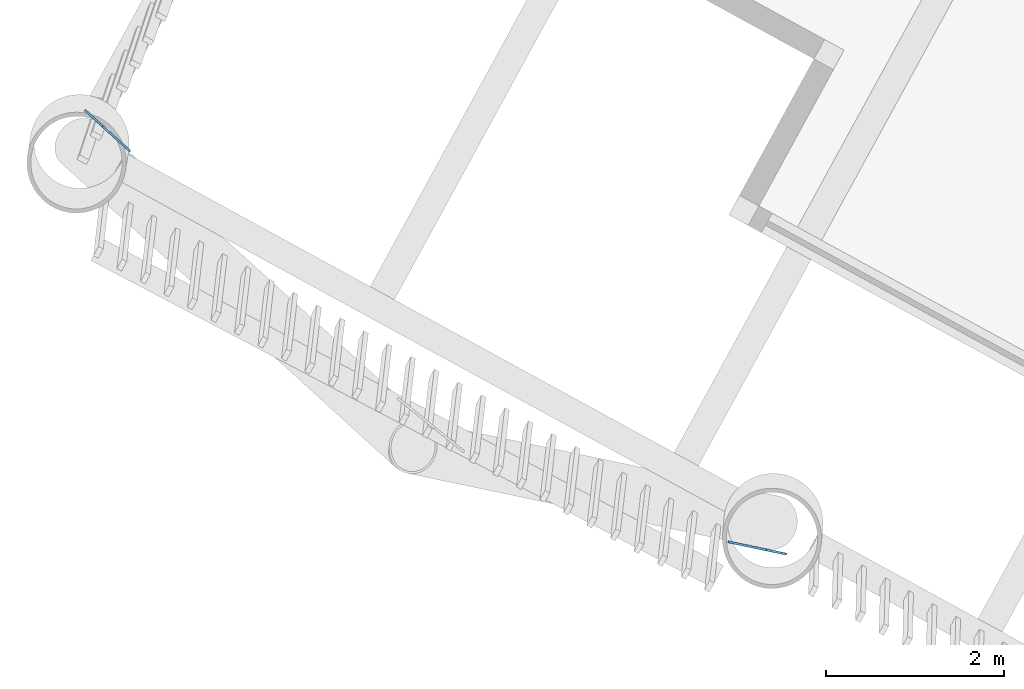
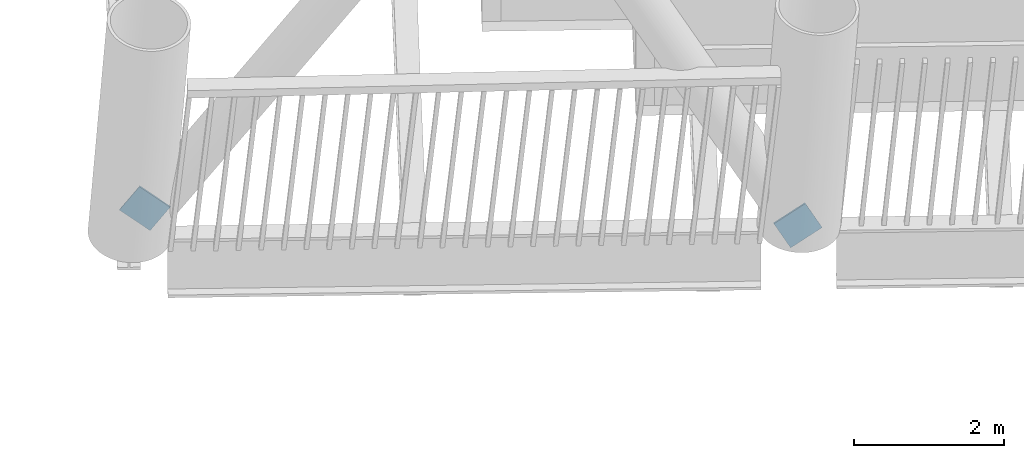
# One storey, part 13 of 24: 2 discrete accessories.
"""IFC4 building model written with IfcOpenShell, lengths in metres."""

import ifcopenshell
import ifcopenshell.guid

model = None  # the IFC model being written
_history = None  # IfcOwnerHistory: only IFC2X3 demands one
_inside = {}  # id of a spatial element -> (the spatial element, [elements in it])
_under = {}  # id of a project, library or spatial element -> (it, [spatial elements below it])
_declared = {}  # id of a project -> (the project, [libraries it declares])
_typed = {}  # id of a type object -> (the type object, [elements of that type])
_made_of = {}  # id of a material, layer set ... -> (it, [elements and type objects made of it])


def new_model(schema):
    """Start an empty IFC model of exactly this schema.

    Asked for "IFC4X3", IfcOpenShell would pick the latest addendum, in which some entities
    have other attributes; the version numbers below select the first issue.
    IFC2X3 requires an IfcOwnerHistory on every rooted entity: one is made here for all.
    """
    global model, _history
    if schema == "IFC4X3":
        model = ifcopenshell.file(schema_version=(4, 3, 0, 0))
    else:
        model = ifcopenshell.file(schema=schema)
    _inside.clear()
    _under.clear()
    _declared.clear()
    _typed.clear()
    _made_of.clear()
    _history = None
    if model.schema == "IFC2X3":
        org = make("IfcOrganization", Name="unknown")
        user = make(
            "IfcPersonAndOrganization",
            ThePerson=make("IfcPerson", FamilyName="unknown"),
            TheOrganization=org,
        )
        app = make(
            "IfcApplication",
            ApplicationDeveloper=org,
            Version="unknown",
            ApplicationFullName="unknown",
            ApplicationIdentifier="unknown",
        )
        _history = make(
            "IfcOwnerHistory",
            OwningUser=user,
            OwningApplication=app,
            ChangeAction="ADDED",
            CreationDate=0,
        )
    return model


def make(cls, **values):
    """One entity of the class cls with the attributes given. An attribute that is None is left unset."""
    return model.create_entity(
        cls, **{name: value for name, value in values.items() if value is not None}
    )


def rooted(cls, **values):
    """An entity with a GlobalId (a new one), such as an element, a storey or a relation."""
    return make(cls, GlobalId=ifcopenshell.guid.new(), OwnerHistory=_history, **values)


def si_unit(unit_type, name, prefix=None):
    """IfcSIUnit, for example si_unit("LENGTHUNIT", "METRE", prefix="MILLI")."""
    return make("IfcSIUnit", UnitType=unit_type, Prefix=prefix, Name=name)


def assignment(units):
    """IfcUnitAssignment: the units of a project."""
    return None if units is None else make("IfcUnitAssignment", Units=units)


def point(xyz):
    """IfcCartesianPoint."""
    return None if xyz is None else make("IfcCartesianPoint", Coordinates=xyz)


def direction(xyz):
    """IfcDirection."""
    return None if xyz is None else make("IfcDirection", DirectionRatios=xyz)


def frame(location, z_axis=None, x_axis=None):
    """IfcAxis2Placement3D, a coordinate frame: its origin and axes. An axis left out is left unset."""
    return make(
        "IfcAxis2Placement3D",
        Location=point(location),
        Axis=direction(z_axis),
        RefDirection=direction(x_axis),
    )


def frame_2d(location, x_axis=None):
    """IfcAxis2Placement2D, a coordinate frame in the plane: its origin and x axis."""
    return make(
        "IfcAxis2Placement2D", Location=point(location), RefDirection=direction(x_axis)
    )


def origin():
    """The frame at (0, 0, 0) with its axes left unset."""
    return frame((0.0, 0.0, 0.0))


def origin_2d():
    """The frame at (0, 0) in the plane with its x axis left unset."""
    return frame_2d((0.0, 0.0))


def place(relative_to, where):
    """IfcLocalPlacement: puts the frame where relative to a parent placement (None: the world)."""
    return make(
        "IfcLocalPlacement", PlacementRelTo=relative_to, RelativePlacement=where
    )


def context(
    kind, dimensions, precision=None, world=None, true_north=None, identifier=None
):
    """IfcGeometricRepresentationContext, for example the 3D "Model" context."""
    return make(
        "IfcGeometricRepresentationContext",
        ContextIdentifier=identifier,
        ContextType=kind,
        CoordinateSpaceDimension=dimensions,
        Precision=precision,
        WorldCoordinateSystem=world,
        TrueNorth=true_north,
    )


def subcontext(parent, identifier, kind, view, scale=None):
    """IfcGeometricRepresentationSubContext, for example "Body" below "Model"."""
    return make(
        "IfcGeometricRepresentationSubContext",
        ContextIdentifier=identifier,
        ContextType=kind,
        ParentContext=parent,
        TargetScale=scale,
        TargetView=view,
    )


def project(units=None, contexts=None):
    """IfcProject with its units and contexts."""
    return rooted(
        "IfcProject",
        Name="project",
        RepresentationContexts=contexts,
        UnitsInContext=assignment(units),
    )


def spatial(cls, under=None, at=None, **own):
    """A site, building, storey or space (cls), placed at a placement, below another one or the project."""
    s = rooted(cls, ObjectPlacement=at, **own)
    if under is not None:
        _under.setdefault(under.id(), (under, []))[1].append(s)
    return s


def profile(cls, at=None, kind="AREA", **sizes):
    """A parametric profile (cls). Its sizes go by their IFC names, for example OverallWidth=200.0."""
    return make(cls, ProfileType=kind, Position=at, **sizes)


def rectangle(**sizes):
    """IfcRectangleProfileDef."""
    return profile("IfcRectangleProfileDef", **sizes)


def extrude(swept, where, along, depth):
    """IfcExtrudedAreaSolid: the profile swept, set in the frame where, extruded along a direction by depth."""
    return make(
        "IfcExtrudedAreaSolid",
        SweptArea=swept,
        Position=where,
        ExtrudedDirection=direction(along),
        Depth=depth,
    )


def shape(context_of_items, identifier, shape_type, items):
    """IfcShapeRepresentation: the items that make up one representation, for example the "Body"."""
    return make(
        "IfcShapeRepresentation",
        ContextOfItems=context_of_items,
        RepresentationIdentifier=identifier,
        RepresentationType=shape_type,
        Items=items,
    )


def material(Name=None, Category=None):
    """IfcMaterial."""
    return make("IfcMaterial", Name=Name, Category=Category)


def material_profile(
    of_material, cross_section, Name=None, Category=None, Priority=None
):
    """IfcMaterialProfile: a cross section and its material."""
    return make(
        "IfcMaterialProfile",
        Name=Name,
        Material=of_material,
        Profile=cross_section,
        Priority=Priority,
        Category=Category,
    )


def profile_set(profiles, Name=None, composite=None):
    """IfcMaterialProfileSet."""
    return make(
        "IfcMaterialProfileSet",
        Name=Name,
        MaterialProfiles=profiles,
        CompositeProfile=composite,
    )


def made_of(thing, what):
    """Note that an element or type object is made of a material, layer set ...; save() writes the relation."""
    if what is not None:
        _made_of.setdefault(what.id(), (what, []))[1].append(thing)
    return thing


def type_object(cls, material=None, **own):
    """A type object (cls), such as IfcWallType, which elements share."""
    return made_of(rooted(cls, **own), material)


def element(
    cls,
    number,
    at=None,
    inside=None,
    cuts=None,
    type_object=None,
    material=None,
    context=None,
    identifier="Body",
    shape_type=None,
    held_by="IfcProductDefinitionShape",
    body=None,
    shapes=None,
    **own,
):
    """One element of the class cls, such as IfcWall. Its Tag is "e" and its number.

    at: its placement. inside: the storey or other place that contains it. cuts: it is an
    opening in that element (IfcRelVoidsElement). A single representation is given by context,
    identifier, shape_type and body (its items); several are given by shapes. held_by: the class
    of the entity that holds the representations. save() writes the other relations.
    """
    e = rooted(cls, Tag="e%d" % number, ObjectPlacement=at, **own)
    if body is not None:
        shapes = [shape(context, identifier, shape_type, body)]
    if shapes is not None:
        e.Representation = make(held_by, Representations=shapes)
    if inside is not None:
        _inside.setdefault(inside.id(), (inside, []))[1].append(e)
    if cuts is not None:
        rooted(
            "IfcRelVoidsElement", RelatingBuildingElement=cuts, RelatedOpeningElement=e
        )
    if type_object is not None:
        _typed.setdefault(type_object.id(), (type_object, []))[1].append(e)
    return made_of(e, material)


def aggregate(whole, parts):
    """IfcRelAggregates: a whole, such as a stair, and the parts it consists of."""
    return rooted("IfcRelAggregates", RelatingObject=whole, RelatedObjects=parts)


def save(model, path):
    """Write the relations noted so far, then the file.

    IfcRelAggregates (storeys below a building ...), IfcRelContainedInSpatialStructure (elements
    in a storey), IfcRelDefinesByType, IfcRelAssociatesMaterial and IfcRelDeclares: one each for
    every whole, place, type object, material and project.
    """
    for whole, parts in _under.values():
        aggregate(whole, parts)
    for where, things in _inside.values():
        rooted(
            "IfcRelContainedInSpatialStructure",
            RelatedElements=things,
            RelatingStructure=where,
        )
    for kind, things in _typed.values():
        rooted("IfcRelDefinesByType", RelatedObjects=things, RelatingType=kind)
    for what, things in _made_of.values():
        rooted("IfcRelAssociatesMaterial", RelatedObjects=things, RelatingMaterial=what)
    for by, libraries in _declared.values():
        rooted("IfcRelDeclares", RelatingContext=by, RelatedDefinitions=libraries)
    model.write(path)


model = new_model("IFC4")

# Units and contexts
model_context = context("Model", 3, precision=1e-05, world=origin(), true_north=direction((0.0, 1.0)))
body_context = subcontext(model_context, "Body", "Model", "MODEL_VIEW")
ifc_project = project(units=[si_unit("LENGTHUNIT", "METRE"), si_unit("AREAUNIT", "SQUARE_METRE"), si_unit("VOLUMEUNIT", "CUBIC_METRE"), si_unit("PLANEANGLEUNIT", "RADIAN"), si_unit("MASSUNIT", "GRAM", prefix="KILO")], contexts=[model_context])

# Site, building, storey
site_placement = place(None, origin())
site = spatial("IfcSite", under=ifc_project, at=site_placement, CompositionType="ELEMENT")
building_placement = place(site_placement, origin())
building = spatial("IfcBuilding", under=site, at=building_placement, Name="Tarsis Ring Headquarters", CompositionType="ELEMENT")
storey_placement = place(building_placement, frame((0.0, 0.0, 163.199951171875)))
storey = spatial("IfcBuildingStorey", under=building, at=storey_placement, Name="L37", CompositionType="ELEMENT", Elevation=163.199951171875)

# Discrete accessories
ifc_material = material(Name="Structural steel S355", Category="steel")
ifc_material_profile = material_profile(ifc_material, rectangle(XDim=0.02490234375, YDim=0.5, at=origin_2d()), Name="PL 25x500")
ifc_profile_set = profile_set([ifc_material_profile], Name="Structural steel S355")
discrete_accessory_type = type_object("IfcDiscreteAccessoryType", Name="Gusset plate Exo brace 25", PredefinedType="BRACKET", material=ifc_profile_set)
discrete_accessory_1_placement = place(storey_placement, frame((-44.44091796875, 7.775390625, 0.0), z_axis=(0.403653775597, -0.367046722188, 0.838057476058), x_axis=(0.672761847326, 0.739859106035, 0.0)))
element("IfcDiscreteAccessory", 1, at=discrete_accessory_1_placement, inside=storey, type_object=discrete_accessory_type, Name="Gusset plate GP5", PredefinedType="BRACKET", context=body_context, shape_type="SweptSolid", body=[
    extrude(rectangle(XDim=0.02490234375, YDim=0.5, at=origin_2d()), origin(), (0.0, 0.0, 1.0), 0.500244140625),
])
discrete_accessory_2_placement = place(storey_placement, frame((-36.908203125, 2.96044921875, 0.0), z_axis=(-0.458930708801, 0.096668383343, 0.883197502363), x_axis=(-0.206115406927, -0.978527689453, 0.0)))
element("IfcDiscreteAccessory", 2, at=discrete_accessory_2_placement, inside=storey, type_object=discrete_accessory_type, Name="Gusset plate GP5", PredefinedType="BRACKET", context=body_context, shape_type="SweptSolid", body=[
    extrude(rectangle(XDim=0.02490234375, YDim=0.5, at=origin_2d()), origin(), (0.0, 0.0, 1.0), 0.5),
])

save(model, "model.ifc")
